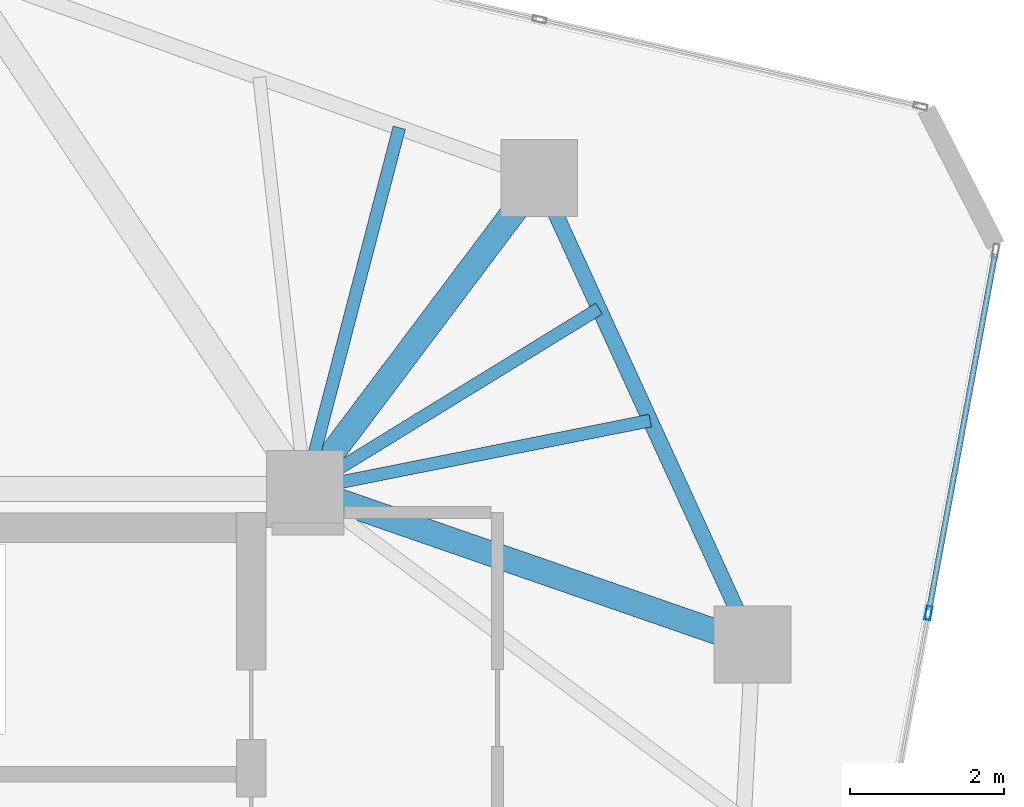
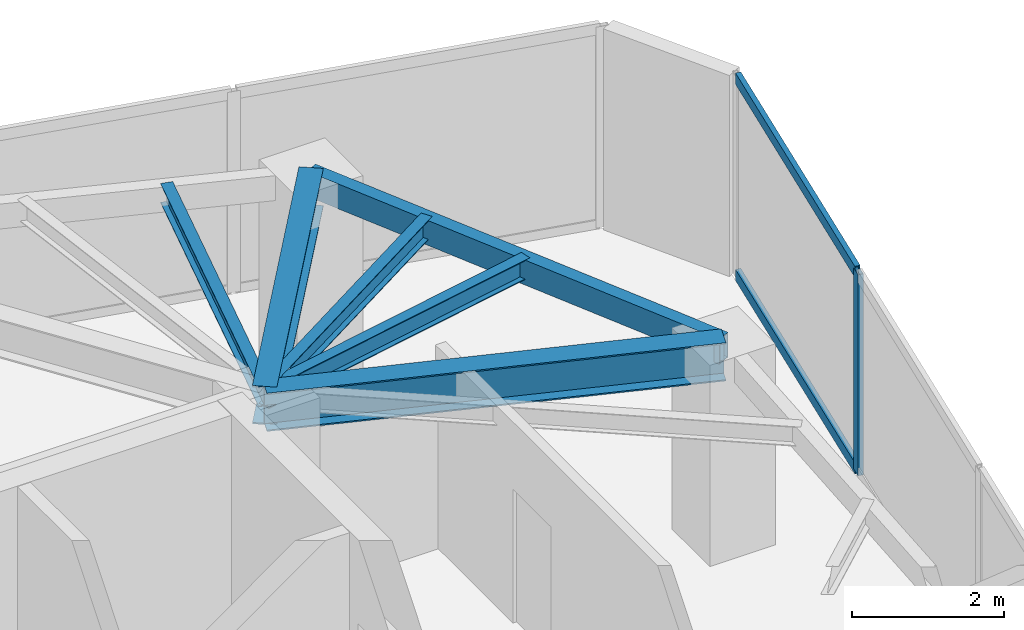
# One storey, part 11 of 19: 6 beams, 3 members, 1 element without a shape of its own.
"""IFC4 building model written with IfcOpenShell, lengths in metres."""

from ifc_helpers import new_model, si_unit, direction, frame, origin, origin_2d, place, context, subcontext, project, spatial, hollow_rectangle, i_section, extrude, source, transform, mapped, material, layer, layer_set, material_profile, profile_set, type_object, type_shapes, element, aggregate, save


model = new_model("IFC4")

# Units and contexts
model_context = context("Model", 3, precision=1e-05, world=origin(), true_north=direction((0.0, 1.0)))
body_context = subcontext(model_context, "Body", "Model", "MODEL_VIEW")
ifc_project = project(units=[si_unit("LENGTHUNIT", "METRE"), si_unit("AREAUNIT", "SQUARE_METRE"), si_unit("VOLUMEUNIT", "CUBIC_METRE"), si_unit("PLANEANGLEUNIT", "RADIAN"), si_unit("MASSUNIT", "GRAM", prefix="KILO")], contexts=[model_context])

# Site, building, storey
site_placement = place(None, origin())
site = spatial("IfcSite", under=ifc_project, at=site_placement, CompositionType="ELEMENT")
building_placement = place(site_placement, origin())
building = spatial("IfcBuilding", under=site, at=building_placement, Name="Talar Marvaseh", CompositionType="ELEMENT")
storey_placement = place(building_placement, frame((0.0, 0.0, 195.0)))
storey = spatial("IfcBuildingStorey", under=building, at=storey_placement, Name="L51", CompositionType="ELEMENT", Elevation=195.0)

# Beams
ifc_material_1 = material(Name="Steel S355", Category="steel")
ifc_material_profile_1 = material_profile(ifc_material_1, hollow_rectangle(XDim=0.199951171875, YDim=0.39990234375, WallThickness=0.013916015625, at=origin_2d()), Name="RHS400x200x14")
ifc_profile_set_1 = profile_set([ifc_material_profile_1], Name="Steel S355")
beam_type_1 = type_object("IfcBeamType", Name="Zone 3 Perimeter Spandrel Beam RHS400x200x14", PredefinedType="SPANDREL", material=ifc_profile_set_1)
beam_1_placement = place(storey_placement, frame((36.341064453125, 40.94189453125, 3.030029296875), z_axis=(0.416090570719, -0.909323175202, 0.0), x_axis=(0.909323175202, 0.416090570719, 0.0)))
element("IfcBeam", 1, at=beam_1_placement, inside=storey, type_object=beam_type_1, Name="L51 Zone 3 Perimeter Spandrel Beam RHS400x200x14", PredefinedType="SPANDREL", context=body_context, shape_type="SweptSolid", body=[
    extrude(hollow_rectangle(XDim=0.199951171875, YDim=0.39990234375, WallThickness=0.013916015625, at=origin_2d()), origin(), (0.0, 0.0, 1.0), 6.661865234375),
])
ifc_material_profile_2 = material_profile(ifc_material_1, i_section(OverallWidth=0.324951171875, OverallDepth=0.615966796875, WebThickness=0.013916015625, FlangeThickness=0.021484375, at=origin_2d()), Name="W610x174")
ifc_profile_set_2 = profile_set([ifc_material_profile_2], Name="Steel S355")
beam_type_2 = type_object("IfcBeamType", Name="Zone 3 Radial Floor Girder W610x174", PredefinedType="BEAM", material=ifc_profile_set_2)
beam_2_placement = place(storey_placement, frame((36.341064453125, 40.94189453125, 2.922119140625), z_axis=(-0.601204044541, -0.799095549247, 0.0), x_axis=(0.799095549247, -0.601204044541, 0.0)))
element("IfcBeam", 2, at=beam_2_placement, inside=storey, type_object=beam_type_2, Name="L51 Zone 3 Radial Floor Girder W610x174", PredefinedType="BEAM", context=body_context, shape_type="SweptSolid", body=[
    extrude(i_section(OverallWidth=0.324951171875, OverallDepth=0.615966796875, WebThickness=0.013916015625, FlangeThickness=0.021484375, at=origin_2d()), origin(), (0.0, 0.0, 1.0), 5.05810546875),
])
beam_3_placement = place(storey_placement, frame((39.113037109375, 34.884033203125, 2.922119140625), z_axis=(-0.94480098975, 0.327644761544, 0.0), x_axis=(-0.327644761544, -0.94480098975, 0.0)))
element("IfcBeam", 3, at=beam_3_placement, inside=storey, type_object=beam_type_2, Name="L51 Zone 3 Radial Floor Girder W610x174", PredefinedType="BEAM", context=body_context, shape_type="SweptSolid", body=[
    extrude(i_section(OverallWidth=0.324951171875, OverallDepth=0.615966796875, WebThickness=0.013916015625, FlangeThickness=0.021484375, at=origin_2d()), origin(), (0.0, 0.0, 1.0), 6.152587890625),
])
ifc_material_profile_3 = material_profile(ifc_material_1, i_section(OverallWidth=0.166015625, OverallDepth=0.31298828125, WebThickness=0.006591796875, FlangeThickness=0.01123046875, at=origin_2d()), Name="W310x45")
ifc_profile_set_3 = profile_set([ifc_material_profile_3], Name="Steel S355")
beam_type_3 = type_object("IfcBeamType", Name="Zone 3 Secondary Floor Joist W310x45", PredefinedType="JOIST", material=ifc_profile_set_3)
beam_4_placement = place(storey_placement, frame((34.52294921875, 41.59619140625, 3.073486328125), z_axis=(-0.251993851934, -0.967728835257, 0.0), x_axis=(0.967728835257, -0.251993851934, 0.0)))
element("IfcBeam", 4, at=beam_4_placement, inside=storey, type_object=beam_type_3, Name="L51 Zone 3 Secondary Floor Joist W310x45", PredefinedType="JOIST", context=body_context, shape_type="SweptSolid", body=[
    extrude(i_section(OverallWidth=0.166015625, OverallDepth=0.31298828125, WebThickness=0.006591796875, FlangeThickness=0.01123046875, at=origin_2d()), origin(), (0.0, 0.0, 1.0), 4.852783203125),
])
beam_5_placement = place(storey_placement, frame((37.1171875, 39.245849609375, 3.073486328125), z_axis=(-0.851963133725, -0.52360177499, 0.0), x_axis=(0.52360177499, -0.851963133725, 0.0)))
element("IfcBeam", 5, at=beam_5_placement, inside=storey, type_object=beam_type_3, Name="L51 Zone 3 Secondary Floor Joist W310x45", PredefinedType="JOIST", context=body_context, shape_type="SweptSolid", body=[
    extrude(i_section(OverallWidth=0.166015625, OverallDepth=0.31298828125, WebThickness=0.006591796875, FlangeThickness=0.01123046875, at=origin_2d()), origin(), (0.0, 0.0, 1.0), 4.48046875),
])
beam_6_placement = place(storey_placement, frame((37.782470703125, 37.791748046875, 3.073486328125), z_axis=(-0.980775375356, -0.195140111447, 0.0), x_axis=(0.195140111447, -0.980775375356, 0.0)))
element("IfcBeam", 6, at=beam_6_placement, inside=storey, type_object=beam_type_3, Name="L51 Zone 3 Secondary Floor Joist W310x45", PredefinedType="JOIST", context=body_context, shape_type="SweptSolid", body=[
    extrude(i_section(OverallWidth=0.166015625, OverallDepth=0.31298828125, WebThickness=0.006591796875, FlangeThickness=0.01123046875, at=origin_2d()), origin(), (0.0, 0.0, 1.0), 4.5703125),
])

# Curtain wall, members
ifc_material_2 = material(Name="Architectural Aluminium", Category="aluminium")
ifc_layer = layer(ifc_material_2, 0.18994140625)
ifc_layer_set = layer_set([ifc_layer], Name="Architectural Aluminium")
curtain_wall_type = type_object("IfcCurtainWallType", Name="Unitised Solar Atelier Curtain Wall Z3", PredefinedType="NOTDEFINED", material=ifc_layer_set)
curtain_wall_placement = place(storey_placement, origin())
curtain_wall = element("IfcCurtainWall", 7, at=curtain_wall_placement, inside=storey, type_object=curtain_wall_type, Name="L51 Unitised Solar Atelier Curtain Wall Z3", PredefinedType="NOTDEFINED")
ifc_material_profile_4 = material_profile(ifc_material_2, hollow_rectangle(XDim=0.074951171875, YDim=0.179931640625, WallThickness=0.0048828125, at=origin_2d()), Name="RHS180x75x5")
ifc_profile_set_4 = profile_set([ifc_material_profile_4], Name="Architectural Aluminium")
member_type_1 = type_object("IfcMemberType", Name="Unitised Curtain Wall Standard Mullion RHS180x75x5", PredefinedType="MULLION", material=ifc_profile_set_4)
shared_shape_1 = source(origin(), body_context, "Body", "SweptSolid", [
    extrude(hollow_rectangle(XDim=0.074951171875, YDim=0.179931640625, WallThickness=0.0048828125, at=origin_2d()), origin(), (0.0, 0.0, 1.0), 3.22998046875),
])
type_shapes(member_type_1, [shared_shape_1])
member_1_placement = place(storey_placement, frame((41.396484375, 35.291259765625, 0.0), z_axis=(0.0, 0.0, 1.0), x_axis=(0.983226848448, -0.182386853944, 0.0)))
member_1 = element("IfcMember", 8, at=member_1_placement, type_object=member_type_1, Name="CW-Z3 mullion 2", PredefinedType="MULLION", context=body_context, shape_type="MappedRepresentation", body=[
    mapped(shared_shape_1, transform((0.0, 0.0, 0.0), x_axis=(1.0, 0.0, 0.0), y_axis=(0.0, 1.0, 0.0), z_axis=(0.0, 0.0, 1.0), scale=1.0)),
])
ifc_material_profile_5 = material_profile(ifc_material_2, hollow_rectangle(XDim=0.074951171875, YDim=0.179931640625, WallThickness=0.0048828125, at=origin_2d()), Name="RHS180x75x5")
ifc_profile_set_5 = profile_set([ifc_material_profile_5], Name="Architectural Aluminium")
member_type_2 = type_object("IfcMemberType", Name="Unitised Curtain Wall Transom RHS180x75x5", PredefinedType="USERDEFINED", material=ifc_profile_set_5)
shared_shape_2 = source(origin(), body_context, "Body", "SweptSolid", [
    extrude(hollow_rectangle(XDim=0.074951171875, YDim=0.179931640625, WallThickness=0.0048828125, at=origin_2d()), origin(), (0.0, 0.0, 1.0), 4.709716796875),
])
type_shapes(member_type_2, [shared_shape_2])
member_2_placement = place(storey_placement, frame((42.26220703125, 39.958740234375, 0.03759765625), z_axis=(-0.182369554572, -0.983230057293, 0.0), x_axis=(0.983230057293, -0.182369554572, 0.0)))
member_2 = element("IfcMember", 9, at=member_2_placement, type_object=member_type_2, Name="CW-Z3 transom 1.1", ObjectType="TRANSOM", PredefinedType="USERDEFINED", context=body_context, shape_type="MappedRepresentation", body=[
    mapped(shared_shape_2, transform((0.0, 0.0, 0.0), x_axis=(1.0, 0.0, 0.0), y_axis=(0.0, 1.0, 0.0), z_axis=(0.0, 0.0, 1.0), scale=1.0)),
])
member_3_placement = place(storey_placement, frame((42.26220703125, 39.958740234375, 3.1923828125), z_axis=(-0.182369554572, -0.983230057293, 0.0), x_axis=(0.983230057293, -0.182369554572, 0.0)))
member_3 = element("IfcMember", 10, at=member_3_placement, type_object=member_type_2, Name="CW-Z3 transom 1.2", ObjectType="TRANSOM", PredefinedType="USERDEFINED", context=body_context, shape_type="MappedRepresentation", body=[
    mapped(shared_shape_2, transform((0.0, 0.0, 0.0), x_axis=(1.0, 0.0, 0.0), y_axis=(0.0, 1.0, 0.0), z_axis=(0.0, 0.0, 1.0), scale=1.0)),
])
aggregate(curtain_wall, [member_1, member_2, member_3])

save(model, "model.ifc")
